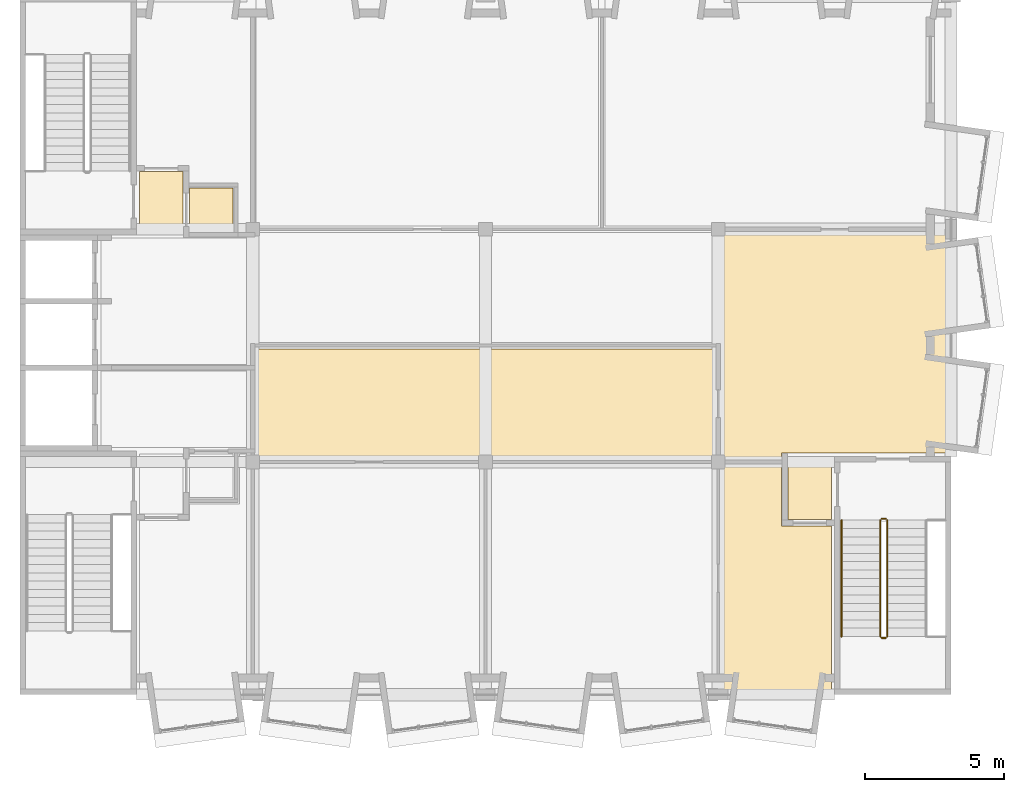
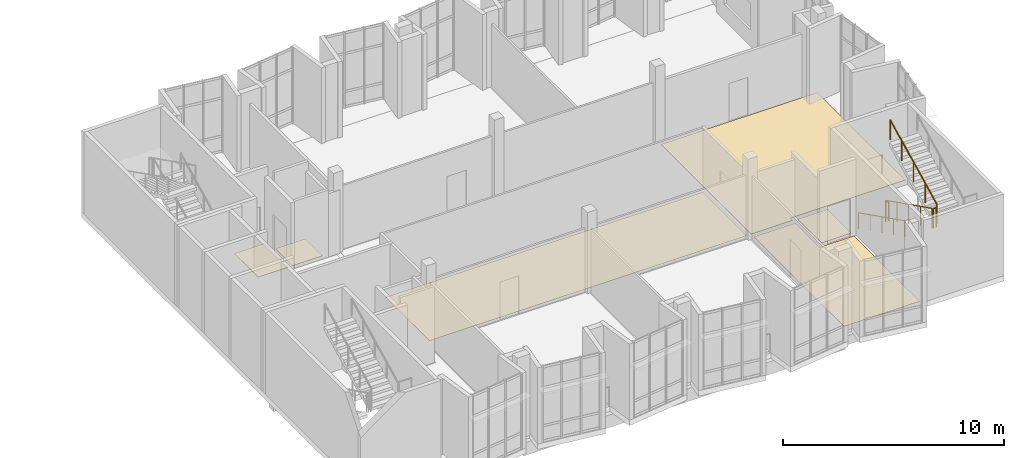
# One storey, part 15 of 18: 6 coverings, 5 railings.
"""IFC4 building model written with IfcOpenShell, lengths in metres."""

from ifc_helpers import new_model, si_unit, direction, frame, origin, origin_2d, place, context, subcontext, project, spatial, polyline, circle, outline, extrude, material, layer, layer_set, type_object, element, save


model = new_model("IFC4")

# Units and contexts
model_context = context("Model", 3, precision=1e-05, world=origin(), true_north=direction((0.0, 1.0)))
body_context = subcontext(model_context, "Body", "Model", "MODEL_VIEW")
ifc_project = project(units=[si_unit("LENGTHUNIT", "METRE"), si_unit("AREAUNIT", "SQUARE_METRE"), si_unit("VOLUMEUNIT", "CUBIC_METRE"), si_unit("PLANEANGLEUNIT", "RADIAN"), si_unit("MASSUNIT", "GRAM", prefix="KILO")], contexts=[model_context])

# Site, building, storey
site_placement = place(None, origin())
site = spatial("IfcSite", under=ifc_project, at=site_placement, CompositionType="ELEMENT")
building_placement = place(site_placement, origin())
building = spatial("IfcBuilding", under=site, at=building_placement, Name="Kiln Court Media Centre", CompositionType="ELEMENT")
storey_placement = place(building_placement, frame((0.0, 0.0, 33.60009765625)))
storey = spatial("IfcBuildingStorey", under=building, at=storey_placement, Name="L07", CompositionType="ELEMENT", Elevation=33.60009765625)

# Coverings
ifc_material_1 = material(Name="Carpet tile")
ifc_layer_1 = layer(ifc_material_1, 0.014892578125)
ifc_layer_set_1 = layer_set([ifc_layer_1], Name="Carpet tile floor finish 15")
covering_type_1 = type_object("IfcCoveringType", Name="Carpet tile floor finish 15", PredefinedType="FLOORING", material=ifc_layer_set_1)
covering_1_placement = place(storey_placement, origin())
element("IfcCovering", 1, at=covering_1_placement, inside=storey, type_object=covering_type_1, Name="Meeting Room floor finish", PredefinedType="FLOORING", context=body_context, shape_type="SweptSolid", body=[
    extrude(outline(polyline([(29.280029296875, 0.1201171875), (29.280029296875, 6.080078125), (27.47998046875, 6.080078125), (27.47998046875, 8.280029296875), (25.320068359375, 8.280029296875), (25.320068359375, 0.1201171875), (29.280029296875, 0.1201171875)])), origin(), (0.0, 0.0, 1.0), 0.014892578125),
])
covering_2_placement = place(storey_placement, origin())
element("IfcCovering", 2, at=covering_2_placement, inside=storey, type_object=covering_type_1, Name="Staff Training Hall floor finish", PredefinedType="FLOORING", context=body_context, shape_type="SweptSolid", body=[
    extrude(outline(polyline([(8.52001953125, 8.52001953125), (25.080078125, 8.52001953125), (25.080078125, 12.47998046875), (8.52001953125, 12.47998046875), (8.52001953125, 8.52001953125)])), origin(), (0.0, 0.0, 1.0), 0.014892578125),
])
ifc_material_2 = material(Name="Terrazzo")
ifc_layer_2 = layer(ifc_material_2, 0.02490234375)
ifc_layer_set_2 = layer_set([ifc_layer_2], Name="Polished terrazzo floor finish 25")
covering_type_2 = type_object("IfcCoveringType", Name="Polished terrazzo floor finish 25", PredefinedType="FLOORING", material=ifc_layer_set_2)
covering_3_placement = place(storey_placement, origin())
element("IfcCovering", 3, at=covering_3_placement, inside=storey, type_object=covering_type_2, Name="Stair 3 Vestibule floor finish", PredefinedType="FLOORING", context=body_context, shape_type="SweptSolid", body=[
    extrude(outline(polyline([(27.719970703125, 6.320068359375), (29.280029296875, 6.320068359375), (29.280029296875, 8.47998046875), (27.719970703125, 8.47998046875), (27.719970703125, 6.320068359375)])), origin(), (0.0, 0.0, 1.0), 0.02490234375),
])
covering_4_placement = place(storey_placement, origin())
element("IfcCovering", 4, at=covering_4_placement, inside=storey, type_object=covering_type_2, Name="East Lobby floor finish", PredefinedType="FLOORING", context=body_context, shape_type="SweptSolid", body=[
    extrude(outline(polyline([(25.320068359375, 8.52001953125), (27.47998046875, 8.52001953125), (27.47998046875, 8.719970703125), (33.47998046875, 8.719970703125), (33.47998046875, 16.679931640625), (25.320068359375, 16.679931640625), (25.320068359375, 8.52001953125)])), origin(), (0.0, 0.0, 1.0), 0.02490234375),
])
covering_5_placement = place(storey_placement, origin())
element("IfcCovering", 5, at=covering_5_placement, inside=storey, type_object=covering_type_2, Name="Stair 2 Vestibule floor finish", PredefinedType="FLOORING", context=body_context, shape_type="SweptSolid", body=[
    extrude(outline(polyline([(4.320068359375, 16.719970703125), (5.8798828125, 16.719970703125), (5.8798828125, 18.8798828125), (4.320068359375, 18.8798828125), (4.320068359375, 16.719970703125)])), origin(), (0.0, 0.0, 1.0), 0.02490234375),
])
covering_6_placement = place(storey_placement, origin())
element("IfcCovering", 6, at=covering_6_placement, inside=storey, type_object=covering_type_2, Name="Wheelchair Refuge floor finish", PredefinedType="FLOORING", context=body_context, shape_type="SweptSolid", body=[
    extrude(outline(polyline([(6.1201171875, 16.719970703125), (7.679931640625, 16.719970703125), (7.679931640625, 18.280029296875), (6.1201171875, 18.280029296875), (6.1201171875, 16.719970703125)])), origin(), (0.0, 0.0, 1.0), 0.02490234375),
])

# Railings
ifc_material_3 = material(Name="Steel S275", Category="steel")
railing_type_1 = type_object("IfcRailingType", Name="Steel S275 stair guard 1100", PredefinedType="GUARDRAIL", material=ifc_material_3)
railing_1_placement = place(storey_placement, frame((31.050048828125, 6.300048828125, 0.14990234375)))
element("IfcRailing", 7, at=railing_1_placement, inside=storey, type_object=railing_type_1, Name="ST-03 stair guard", PredefinedType="GUARDRAIL", context=body_context, shape_type="SweptSolid", body=[
    extrude(circle(Radius=0.02392578125, at=origin_2d()), frame((0.0, 0.0, 1.076171875), z_axis=(0.0, -0.894416792377, 0.447234392142), x_axis=(1.0, 0.0, 0.0)), (0.0, 0.0, 1.0), 4.69580078125),
    extrude(circle(Radius=0.02099609375, at=origin_2d()), origin(), (0.0, 0.0, 1.0), 1.052001953125),
    extrude(circle(Radius=0.02099609375, at=origin_2d()), frame((0.0, -1.050048828125, 0.52490234375)), (0.0, 0.0, 1.0), 1.052001953125),
    extrude(circle(Radius=0.02099609375, at=origin_2d()), frame((0.0, -2.10009765625, 1.050048828125)), (0.0, 0.0, 1.0), 1.052001953125),
    extrude(circle(Radius=0.02099609375, at=origin_2d()), frame((0.0, -3.14990234375, 1.5751953125)), (0.0, 0.0, 1.0), 1.052001953125),
    extrude(circle(Radius=0.02099609375, at=origin_2d()), frame((0.0, -4.199951171875, 2.10009765625)), (0.0, 0.0, 1.0), 1.052001953125),
])
railing_2_placement = place(storey_placement, frame((31.10009765625, 2.050048828125, 2.25)))
element("IfcRailing", 8, at=railing_2_placement, inside=storey, type_object=railing_type_1, Name="ST-03 stair guard", PredefinedType="GUARDRAIL", context=body_context, shape_type="SweptSolid", body=[
    extrude(circle(Radius=0.02392578125, at=origin_2d()), frame((0.0, 0.0, 1.076171875), z_axis=(1.0, 0.0, 0.0), x_axis=(0.0, 1.0, 0.0)), (0.0, 0.0, 1.0), 0.14990234375),
    extrude(circle(Radius=0.02099609375, at=origin_2d()), origin(), (0.0, 0.0, 1.0), 1.052001953125),
    extrude(circle(Radius=0.02099609375, at=origin_2d()), frame((0.14990234375, 0.0, 0.0)), (0.0, 0.0, 1.0), 1.052001953125),
])
railing_3_placement = place(storey_placement, frame((31.300048828125, 2.10009765625, 2.39990234375)))
element("IfcRailing", 9, at=railing_3_placement, inside=storey, type_object=railing_type_1, Name="ST-03 stair guard", PredefinedType="GUARDRAIL", context=body_context, shape_type="SweptSolid", body=[
    extrude(circle(Radius=0.02392578125, at=origin_2d()), frame((0.0, 0.0, 1.076171875), z_axis=(0.0, 0.894416792377, 0.447234392142), x_axis=(-1.0, 0.0, 0.0)), (0.0, 0.0, 1.0), 4.69580078125),
    extrude(circle(Radius=0.02099609375, at=origin_2d()), origin(), (0.0, 0.0, 1.0), 1.052001953125),
    extrude(circle(Radius=0.02099609375, at=origin_2d()), frame((0.0, 1.050048828125, 0.52490234375)), (0.0, 0.0, 1.0), 1.052001953125),
    extrude(circle(Radius=0.02099609375, at=origin_2d()), frame((0.0, 2.10009765625, 1.050048828125)), (0.0, 0.0, 1.0), 1.052001953125),
    extrude(circle(Radius=0.02099609375, at=origin_2d()), frame((0.0, 3.14990234375, 1.5751953125)), (0.0, 0.0, 1.0), 1.052001953125),
    extrude(circle(Radius=0.02099609375, at=origin_2d()), frame((0.0, 4.199951171875, 2.10009765625)), (0.0, 0.0, 1.0), 1.052001953125),
])
railing_4_placement = place(storey_placement, frame((31.10009765625, 6.35009765625, 0.0)))
element("IfcRailing", 10, at=railing_4_placement, inside=storey, type_object=railing_type_1, Name="ST-03 stair guard", PredefinedType="GUARDRAIL", context=body_context, shape_type="SweptSolid", body=[
    extrude(circle(Radius=0.02392578125, at=origin_2d()), frame((0.0, 0.0, 1.076171875), z_axis=(1.0, 0.0, 0.0), x_axis=(0.0, 1.0, 0.0)), (0.0, 0.0, 1.0), 0.14990234375),
    extrude(circle(Radius=0.02099609375, at=origin_2d()), origin(), (0.0, 0.0, 1.0), 1.052001953125),
    extrude(circle(Radius=0.02099609375, at=origin_2d()), frame((0.14990234375, 0.0, 0.0)), (0.0, 0.0, 1.0), 1.052001953125),
])
ifc_material_4 = material(Name="Steel S275", Category="steel")
railing_type_2 = type_object("IfcRailingType", Name="Steel S275 stair handrail 900", PredefinedType="HANDRAIL", material=ifc_material_4)
railing_5_placement = place(storey_placement, frame((29.64990234375, 6.300048828125, 0.14990234375)))
element("IfcRailing", 11, at=railing_5_placement, inside=storey, type_object=railing_type_2, Name="ST-03 stair handrail", PredefinedType="HANDRAIL", context=body_context, shape_type="SweptSolid", body=[
    extrude(circle(Radius=0.02392578125, at=origin_2d()), frame((0.0, 0.0, 0.8759765625), z_axis=(0.0, -0.894416792377, 0.447234392142), x_axis=(1.0, 0.0, 0.0)), (0.0, 0.0, 1.0), 4.69580078125),
    extrude(circle(Radius=0.02099609375, at=origin_2d()), origin(), (0.0, 0.0, 1.0), 0.851806640625),
    extrude(circle(Radius=0.02099609375, at=origin_2d()), frame((0.0, -1.050048828125, 0.52490234375)), (0.0, 0.0, 1.0), 0.851806640625),
    extrude(circle(Radius=0.02099609375, at=origin_2d()), frame((0.0, -2.10009765625, 1.050048828125)), (0.0, 0.0, 1.0), 0.851806640625),
    extrude(circle(Radius=0.02099609375, at=origin_2d()), frame((0.0, -3.14990234375, 1.5751953125)), (0.0, 0.0, 1.0), 0.851806640625),
    extrude(circle(Radius=0.02099609375, at=origin_2d()), frame((0.0, -4.199951171875, 2.10009765625)), (0.0, 0.0, 1.0), 0.851806640625),
])

save(model, "model.ifc")
